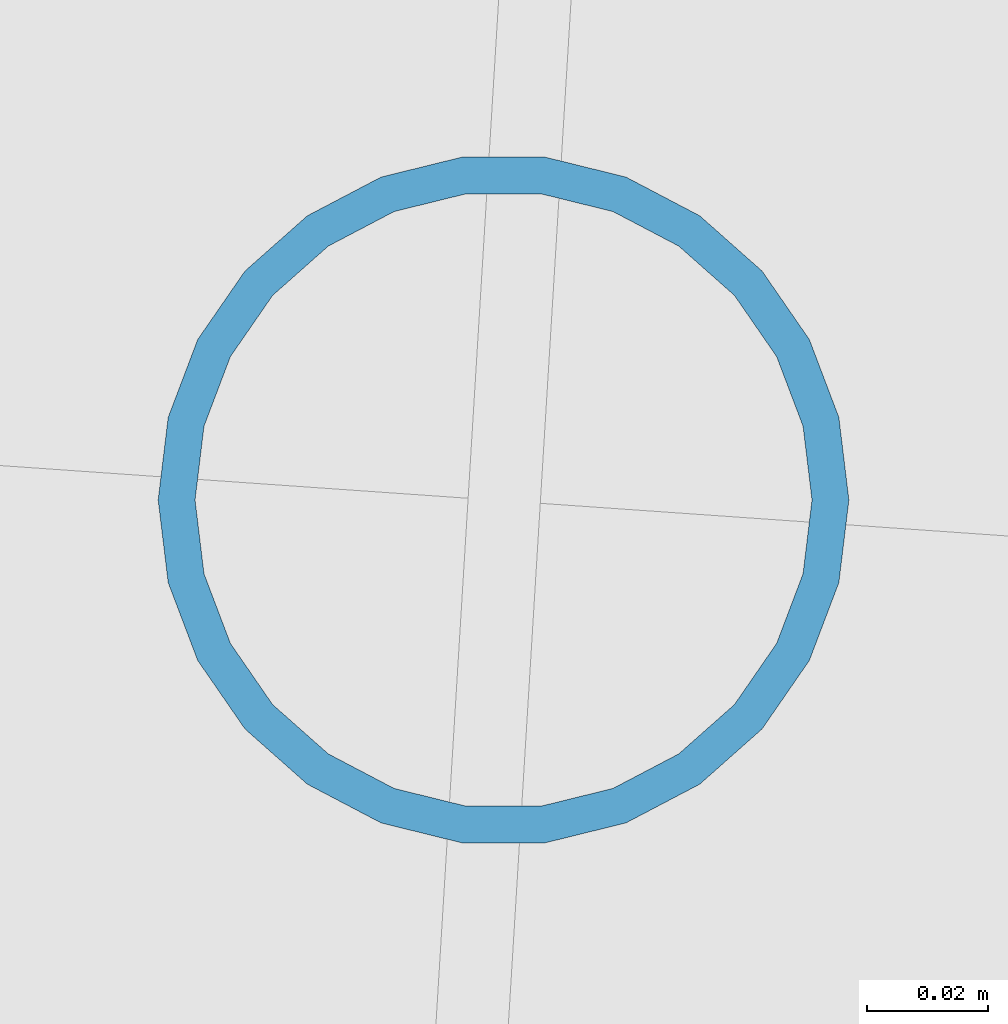
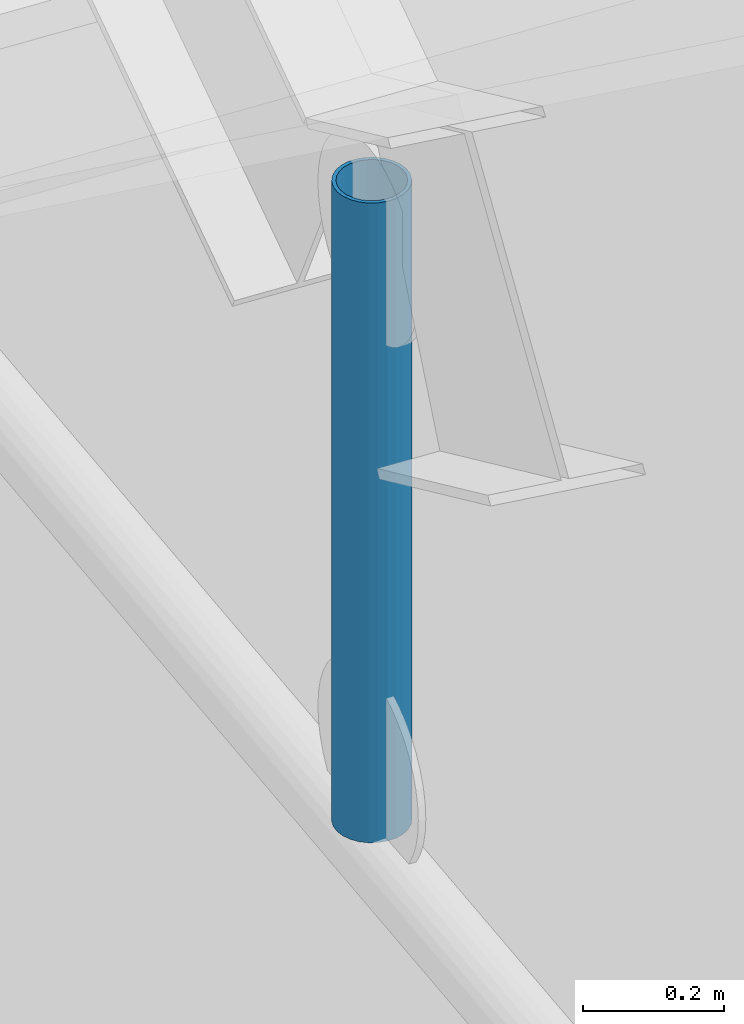
# One storey, part 47 of 157: 1 member.
"""IFC4 building model written with IfcOpenShell, lengths in metres."""

from ifc_helpers import new_model, si_unit, direction, frame, origin, origin_2d, place, context, subcontext, project, spatial, hollow_circle, extrude, material, material_profile, profile_set, type_object, element, save


model = new_model("IFC4")

# Units and contexts
model_context = context("Model", 3, precision=1e-05, world=origin(), true_north=direction((0.0, 1.0)))
body_context = subcontext(model_context, "Body", "Model", "MODEL_VIEW")
ifc_project = project(units=[si_unit("LENGTHUNIT", "METRE"), si_unit("AREAUNIT", "SQUARE_METRE"), si_unit("VOLUMEUNIT", "CUBIC_METRE"), si_unit("PLANEANGLEUNIT", "RADIAN"), si_unit("MASSUNIT", "GRAM", prefix="KILO")], contexts=[model_context])

# Site, building, storey
site_placement = place(None, origin())
site = spatial("IfcSite", under=ifc_project, at=site_placement, CompositionType="ELEMENT")
building_placement = place(site_placement, origin())
building = spatial("IfcBuilding", under=site, at=building_placement, Name="Windward Yard Aquatics Centre", CompositionType="ELEMENT")
storey_placement = place(building_placement, origin())
storey = spatial("IfcBuildingStorey", under=building, at=storey_placement, Name="L00", CompositionType="ELEMENT", Elevation=0.0)

# Member
ifc_material = material(Name="Steel S355", Category="steel")
ifc_material_profile = material_profile(ifc_material, hollow_circle(Radius=0.05712890625, WallThickness=0.006103515625, at=origin_2d()), Name="CHS114x6")
ifc_profile_set = profile_set([ifc_material_profile], Name="Steel S355")
member_type = type_object("IfcMemberType", Name="W CHS114x6 post", PredefinedType="POST", material=ifc_profile_set)
member_placement = place(storey_placement, frame((94.367431640625, 127.432373046875, 9.25), z_axis=(0.0, 0.0, 1.0), x_axis=(1.0, 0.0, 0.0)))
element("IfcMember", 1, at=member_placement, inside=storey, type_object=member_type, Name="W.HANG.4", PredefinedType="POST", context=body_context, shape_type="SweptSolid", body=[
    extrude(hollow_circle(Radius=0.05712890625, WallThickness=0.006103515625, at=origin_2d()), origin(), (0.0, 0.0, 1.0), 1.110107421875),
])

save(model, "model.ifc")
